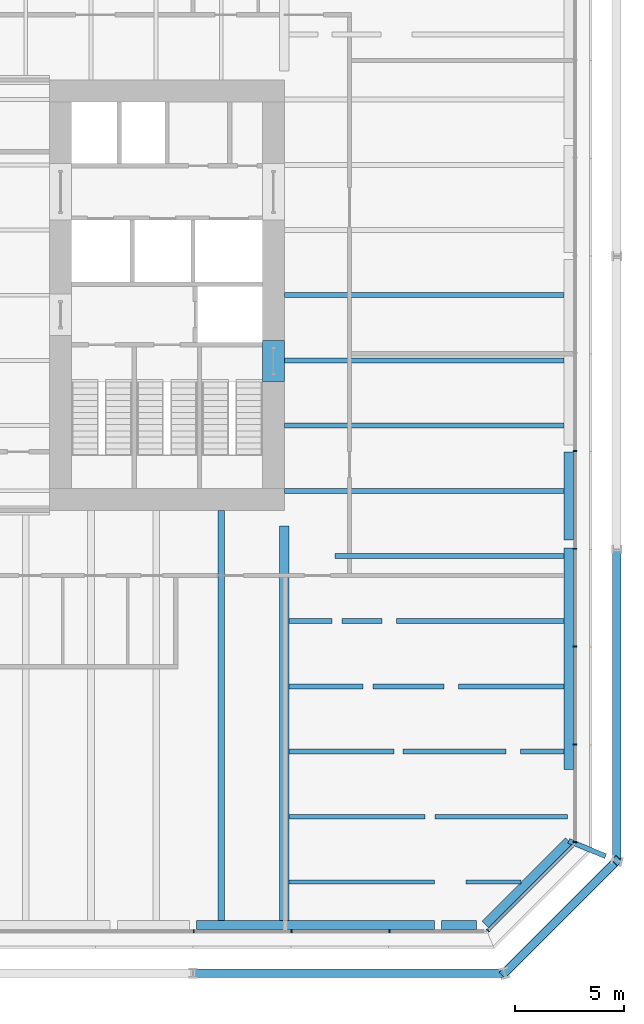
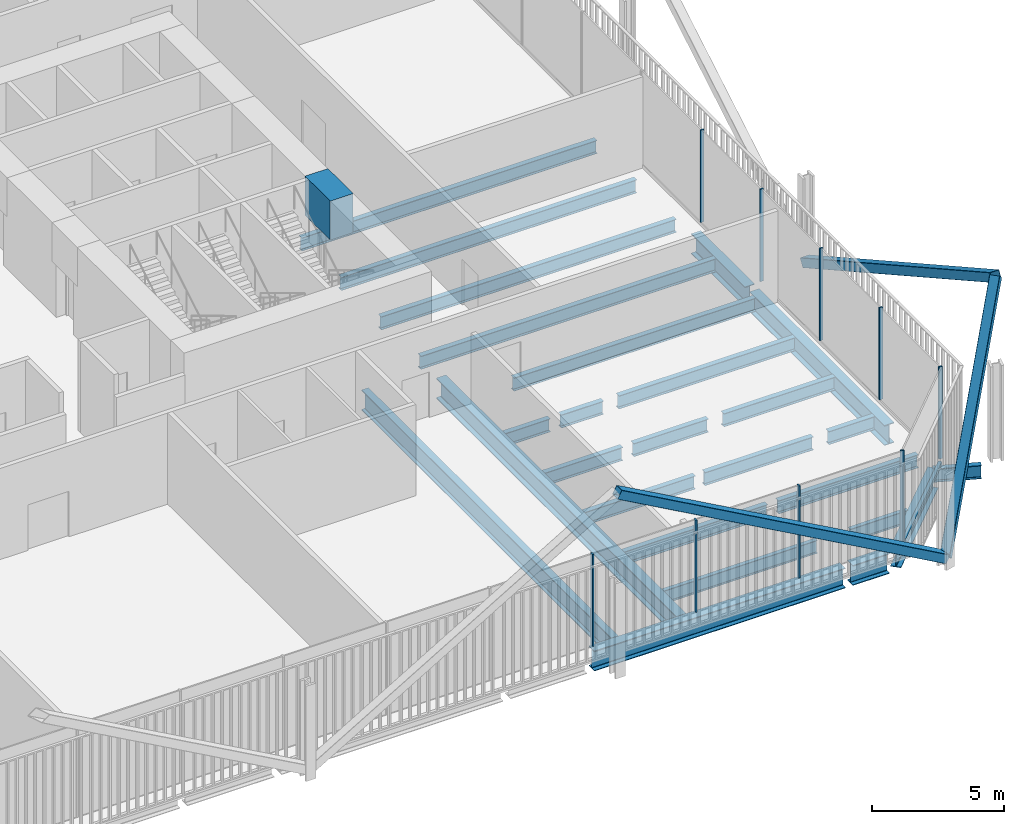
# One storey, part 8 of 21: 27 beams, 13 members, 3 elements without a shape of their own.
"""IFC4 building model written with IfcOpenShell, lengths in metres."""

from ifc_helpers import new_model, si_unit, direction, frame, origin, origin_2d, place, context, subcontext, project, spatial, rectangle, hollow_rectangle, i_section, extrude, material, layer, layer_set, material_profile, profile_set, type_object, element, aggregate, save


model = new_model("IFC4")

# Units and contexts
model_context = context("Model", 3, precision=1e-05, world=origin(), true_north=direction((0.0, 1.0)))
body_context = subcontext(model_context, "Body", "Model", "MODEL_VIEW")
ifc_project = project(units=[si_unit("LENGTHUNIT", "METRE"), si_unit("AREAUNIT", "SQUARE_METRE"), si_unit("VOLUMEUNIT", "CUBIC_METRE"), si_unit("PLANEANGLEUNIT", "RADIAN"), si_unit("MASSUNIT", "GRAM", prefix="KILO")], contexts=[model_context])

# Site, building, storey
site_placement = place(None, origin())
site = spatial("IfcSite", under=ifc_project, at=site_placement, CompositionType="ELEMENT")
building_placement = place(site_placement, origin())
building = spatial("IfcBuilding", under=site, at=building_placement, Name="Millrace Tower", CompositionType="ELEMENT")
storey_placement = place(building_placement, frame((0.0, 0.0, 73.199951171875)))
storey = spatial("IfcBuildingStorey", under=building, at=storey_placement, Name="L16", CompositionType="ELEMENT", Elevation=73.199951171875)

# Curtain wall, members
ifc_material_1 = material(Name="Aluminium and glass", Category="aluminium")
ifc_layer = layer(ifc_material_1, 0.14990234375)
ifc_layer_set = layer_set([ifc_layer], Name="Aluminium and glass")
curtain_wall_type = type_object("IfcCurtainWallType", Name="CW-3 telecom floor curtain wall", PredefinedType="NOTDEFINED", material=ifc_layer_set)
placement = place(storey_placement, origin())
curtain_wall_1 = element("IfcCurtainWall", 1, at=placement, inside=storey, type_object=curtain_wall_type, Name="Curtain wall B-F02 L16", PredefinedType="NOTDEFINED")
ifc_material_2 = material(Name="Aluminium", Category="aluminium")
ifc_material_profile_1 = material_profile(ifc_material_2, rectangle(XDim=0.06494140625, YDim=0.14990234375, at=origin_2d()))
ifc_profile_set_1 = profile_set([ifc_material_profile_1], Name="Aluminium")
member_type_1 = type_object("IfcMemberType", Name="CW-3 telecom floor curtain wall mullion", PredefinedType="MULLION", material=ifc_profile_set_1)
member_1_placement = place(storey_placement, frame((10.732421875, -29.27490234375, 0.150146484375), z_axis=(0.0, 0.0, 1.0), x_axis=(1.0, 0.0, 0.0)))
member_1 = element("IfcMember", 2, at=member_1_placement, type_object=member_type_1, Name="CW3 mullion B-F02.7", PredefinedType="MULLION", context=body_context, shape_type="SweptSolid", body=[
    extrude(rectangle(XDim=0.06494140625, YDim=0.14990234375, at=origin_2d()), origin(), (0.0, 0.0, 1.0), 4.25),
])
member_2_placement = place(storey_placement, frame((15.232421875, -29.27490234375, 0.150146484375), z_axis=(0.0, 0.0, 1.0), x_axis=(1.0, 0.0, 0.0)))
member_2 = element("IfcMember", 3, at=member_2_placement, type_object=member_type_1, Name="CW3 mullion B-F02.8", PredefinedType="MULLION", context=body_context, shape_type="SweptSolid", body=[
    extrude(rectangle(XDim=0.06494140625, YDim=0.14990234375, at=origin_2d()), origin(), (0.0, 0.0, 1.0), 4.25),
])
member_3_placement = place(storey_placement, frame((19.732421875, -29.27490234375, 0.150146484375), z_axis=(0.0, 0.0, 1.0), x_axis=(1.0, 0.0, 0.0)))
member_3 = element("IfcMember", 4, at=member_3_placement, type_object=member_type_1, Name="CW3 mullion B-F02.9", PredefinedType="MULLION", context=body_context, shape_type="SweptSolid", body=[
    extrude(rectangle(XDim=0.06494140625, YDim=0.14990234375, at=origin_2d()), origin(), (0.0, 0.0, 1.0), 4.25),
])
aggregate(curtain_wall_1, [member_1, member_2, member_3])

# Curtain wall, member
curtain_wall_2 = element("IfcCurtainWall", 5, at=placement, inside=storey, type_object=curtain_wall_type, Name="Curtain wall B-F03 L16", PredefinedType="NOTDEFINED")
member_4_placement = place(storey_placement, frame((24.276123046875, -29.22998046875, 0.150146484375), z_axis=(0.0, 0.0, 1.0), x_axis=(0.707106781187, 0.707106781187, 0.0)))
member_4 = element("IfcMember", 6, at=member_4_placement, type_object=member_type_1, Name="CW3 mullion B-F03.1", PredefinedType="MULLION", context=body_context, shape_type="SweptSolid", body=[
    extrude(rectangle(XDim=0.06494140625, YDim=0.14990234375, at=origin_2d()), origin(), (0.0, 0.0, 1.0), 4.25),
])

# Curtain wall, members
curtain_wall_3 = element("IfcCurtainWall", 7, at=placement, inside=storey, type_object=curtain_wall_type, Name="Curtain wall B-F04 L16", PredefinedType="NOTDEFINED")
member_5_placement = place(storey_placement, frame((28.27490234375, -25.16748046875, 0.150146484375), z_axis=(0.0, 0.0, 1.0), x_axis=(0.0, 1.0, 0.0)))
member_5 = element("IfcMember", 8, at=member_5_placement, type_object=member_type_1, Name="CW3 mullion B-F04.1", PredefinedType="MULLION", context=body_context, shape_type="SweptSolid", body=[
    extrude(rectangle(XDim=0.06494140625, YDim=0.14990234375, at=origin_2d()), origin(), (0.0, 0.0, 1.0), 4.25),
])
member_6_placement = place(storey_placement, frame((28.27490234375, -20.66748046875, 0.150146484375), z_axis=(0.0, 0.0, 1.0), x_axis=(0.0, 1.0, 0.0)))
member_6 = element("IfcMember", 9, at=member_6_placement, type_object=member_type_1, Name="CW3 mullion B-F04.2", PredefinedType="MULLION", context=body_context, shape_type="SweptSolid", body=[
    extrude(rectangle(XDim=0.06494140625, YDim=0.14990234375, at=origin_2d()), origin(), (0.0, 0.0, 1.0), 4.25),
])
member_7_placement = place(storey_placement, frame((28.27490234375, -16.16748046875, 0.150146484375), z_axis=(0.0, 0.0, 1.0), x_axis=(0.0, 1.0, 0.0)))
member_7 = element("IfcMember", 10, at=member_7_placement, type_object=member_type_1, Name="CW3 mullion B-F04.3", PredefinedType="MULLION", context=body_context, shape_type="SweptSolid", body=[
    extrude(rectangle(XDim=0.06494140625, YDim=0.14990234375, at=origin_2d()), origin(), (0.0, 0.0, 1.0), 4.25),
])
member_8_placement = place(storey_placement, frame((28.27490234375, -11.66748046875, 0.150146484375), z_axis=(0.0, 0.0, 1.0), x_axis=(0.0, 1.0, 0.0)))
member_8 = element("IfcMember", 11, at=member_8_placement, type_object=member_type_1, Name="CW3 mullion B-F04.4", PredefinedType="MULLION", context=body_context, shape_type="SweptSolid", body=[
    extrude(rectangle(XDim=0.06494140625, YDim=0.14990234375, at=origin_2d()), origin(), (0.0, 0.0, 1.0), 4.25),
])
member_9_placement = place(storey_placement, frame((28.27490234375, -7.16748046875, 0.150146484375), z_axis=(0.0, 0.0, 1.0), x_axis=(0.0, 1.0, 0.0)))
member_9 = element("IfcMember", 12, at=member_9_placement, type_object=member_type_1, Name="CW3 mullion B-F04.5", PredefinedType="MULLION", context=body_context, shape_type="SweptSolid", body=[
    extrude(rectangle(XDim=0.06494140625, YDim=0.14990234375, at=origin_2d()), origin(), (0.0, 0.0, 1.0), 4.25),
])
aggregate(curtain_wall_3, [member_5, member_6, member_7, member_8, member_9])

# Member
ifc_material_3 = material(Name="Aluminium", Category="aluminium")
ifc_material_profile_2 = material_profile(ifc_material_3, rectangle(XDim=0.14990234375, YDim=0.14990234375, at=origin_2d()))
ifc_profile_set_2 = profile_set([ifc_material_profile_2], Name="Aluminium")
member_type_2 = type_object("IfcMemberType", Name="CW-3 telecom floor curtain wall transom", PredefinedType="USERDEFINED", material=ifc_profile_set_2)
member_10_placement = place(storey_placement, frame((24.32373046875, -29.182373046875, 0.074951171875), z_axis=(0.707106781187, 0.707106781187, 0.0), x_axis=(-0.707106781187, 0.707106781187, 0.0)))
member_10 = element("IfcMember", 13, at=member_10_placement, type_object=member_type_2, Name="CW3 transom B-F03.1", ObjectType="TRANSOM", PredefinedType="USERDEFINED", context=body_context, shape_type="SweptSolid", body=[
    extrude(rectangle(XDim=0.14990234375, YDim=0.14990234375, at=origin_2d()), origin(), (0.0, 0.0, 1.0), 5.45703125),
])

aggregate(curtain_wall_2, [member_4, member_10])

# Beam
ifc_material_4 = material(Name="Concrete C80", Category="concrete")
ifc_material_profile_3 = material_profile(ifc_material_4, rectangle(XDim=1.0, YDim=1.800048828125, at=origin_2d()))
ifc_profile_set_3 = profile_set([ifc_material_profile_3], Name="Concrete C80")
beam_type_1 = type_object("IfcBeamType", Name="Coupling beam 1000 x 1800 Concrete C80, 1300 opening", PredefinedType="BEAM", material=ifc_profile_set_3)
beam_1_placement = place(storey_placement, frame((14.39990234375, -2.080078125, 3.300048828125), z_axis=(0.0, -1.0, 0.0), x_axis=(1.0, 0.0, 0.0)))
element("IfcBeam", 14, at=beam_1_placement, inside=storey, type_object=beam_type_1, Name="Coupling beam E L16", PredefinedType="BEAM", context=body_context, shape_type="SweptSolid", body=[
    extrude(rectangle(XDim=1.0, YDim=1.800048828125, at=origin_2d()), origin(), (0.0, 0.0, 1.0), 1.89990234375),
])

# Members
ifc_material_5 = material(Name="Steel ASTM A500 Grade C", Category="steel")
ifc_material_profile_4 = material_profile(ifc_material_5, hollow_rectangle(XDim=0.406494140625, YDim=0.406494140625, WallThickness=0.015869140625, InnerFilletRadius=0.008056640625, OuterFilletRadius=0.02392578125, at=origin_2d()))
ifc_profile_set_4 = profile_set([ifc_material_profile_4], Name="Steel ASTM A500 Grade C")
member_type_3 = type_object("IfcMemberType", Name="Exoskeleton brace HSS16x16x5/8", PredefinedType="BRACE", material=ifc_profile_set_4)
member_11_placement = place(storey_placement, frame((25.0283203125, -31.199951171875, 0.400146484375), z_axis=(-0.873125840427, 0.0, 0.487494888976), x_axis=(0.0, -1.0, 0.0)))
element("IfcMember", 15, at=member_11_placement, inside=storey, type_object=member_type_3, Name="BRC-B-L16-04", PredefinedType="BRACE", context=body_context, shape_type="SweptSolid", body=[
    extrude(hollow_rectangle(XDim=0.406494140625, YDim=0.406494140625, WallThickness=0.015869140625, InnerFilletRadius=0.008056640625, OuterFilletRadius=0.02392578125, at=origin_2d()), origin(), (0.0, 0.0, 1.0), 16.410400390625),
])
member_12_placement = place(storey_placement, frame((25.0283203125, -31.199951171875, 0.400146484375), z_axis=(0.477116280189, 0.477116280189, 0.738051563482), x_axis=(-0.707106781187, 0.707106781187, 0.0)))
element("IfcMember", 16, at=member_12_placement, inside=storey, type_object=member_type_3, Name="BRC-B-L16-05", PredefinedType="BRACE", context=body_context, shape_type="SweptSolid", body=[
    extrude(hollow_rectangle(XDim=0.406494140625, YDim=0.406494140625, WallThickness=0.015869140625, InnerFilletRadius=0.008056640625, OuterFilletRadius=0.02392578125, at=origin_2d()), origin(), (0.0, 0.0, 1.0), 10.83935546875),
])
member_13_placement = place(storey_placement, frame((30.199951171875, -11.699951171875, 0.400146484375), z_axis=(0.0, -0.873125840427, 0.487494888976), x_axis=(1.0, 0.0, 0.0)))
element("IfcMember", 17, at=member_13_placement, inside=storey, type_object=member_type_3, Name="BRC-B-L16-06", PredefinedType="BRACE", context=body_context, shape_type="SweptSolid", body=[
    extrude(hollow_rectangle(XDim=0.406494140625, YDim=0.406494140625, WallThickness=0.015869140625, InnerFilletRadius=0.008056640625, OuterFilletRadius=0.02392578125, at=origin_2d()), origin(), (0.0, 0.0, 1.0), 16.410400390625),
])

# Beams
ifc_material_6 = material(Name="Steel ASTM A992 Grade 50", Category="steel")
ifc_material_profile_5 = material_profile(ifc_material_6, i_section(OverallWidth=0.1787109375, OverallDepth=0.60205078125, WebThickness=0.010986328125, FlangeThickness=0.014892578125, FilletRadius=0.0126953125, at=origin_2d()))
ifc_profile_set_5 = profile_set([ifc_material_profile_5], Name="Steel ASTM A992 Grade 50")
beam_type_2 = type_object("IfcBeamType", Name="Floor beam W24x62", PredefinedType="JOIST", material=ifc_profile_set_5)
beam_2_placement = place(storey_placement, frame((15.11083984375, -27.0, -0.5009765625), z_axis=(1.0, 0.0, 0.0), x_axis=(0.0, 1.0, 0.0)))
element("IfcBeam", 18, at=beam_2_placement, inside=storey, type_object=beam_type_2, Name="BM-B-L16-S1-S002-a", PredefinedType="JOIST", context=body_context, shape_type="SweptSolid", body=[
    extrude(i_section(OverallWidth=0.1787109375, OverallDepth=0.60205078125, WebThickness=0.010986328125, FlangeThickness=0.014892578125, FilletRadius=0.0126953125, at=origin_2d()), origin(), (0.0, 0.0, 1.0), 6.704833984375),
])
beam_3_placement = place(storey_placement, frame((23.2529296875, -27.0, -0.5009765625), z_axis=(1.0, 0.0, 0.0), x_axis=(0.0, 1.0, 0.0)))
element("IfcBeam", 19, at=beam_3_placement, inside=storey, type_object=beam_type_2, Name="BM-B-L16-S1-S002-b", PredefinedType="JOIST", context=body_context, shape_type="SweptSolid", body=[
    extrude(i_section(OverallWidth=0.1787109375, OverallDepth=0.60205078125, WebThickness=0.010986328125, FlangeThickness=0.014892578125, FilletRadius=0.0126953125, at=origin_2d()), origin(), (0.0, 0.0, 1.0), 2.5302734375),
])
ifc_material_7 = material(Name="Steel ASTM A992 Grade 50", Category="steel")
ifc_material_profile_6 = material_profile(ifc_material_7, i_section(OverallWidth=0.228271484375, OverallDepth=0.607177734375, WebThickness=0.01123046875, FlangeThickness=0.017333984375, FilletRadius=0.0126953125, at=origin_2d()))
ifc_profile_set_6 = profile_set([ifc_material_profile_6], Name="Steel ASTM A992 Grade 50")
beam_type_3 = type_object("IfcBeamType", Name="Floor beam W24x76", PredefinedType="JOIST", material=ifc_profile_set_6)
for number, where, z_axis, x_axis, name in (
    (20, (14.89990234375, -9.0, -0.50341796875), (1.0, 0.0, 0.0), (0.0, 1.0, 0.0), "BM-B-L16-S1-S015"),
    (21, (14.89990234375, -6.0, -0.50341796875), (1.0, 0.0, 0.0), (0.0, 1.0, 0.0), "BM-B-L16-S1-S018"),
    (22, (14.89990234375, -3.0, -0.50341796875), (1.0, 0.0, 0.0), (0.0, 1.0, 0.0), "BM-B-L16-S1-S021"),
    (23, (14.89990234375, 0.0, -0.50341796875), (1.0, 0.0, 0.0), (0.0, 1.0, 0.0), "BM-B-L16-S1-S024"),
):
    element("IfcBeam", number, at=place(storey_placement, frame(where, z_axis=z_axis, x_axis=x_axis)), inside=storey, type_object=beam_type_3, Name=name, PredefinedType="JOIST", context=body_context, shape_type="SweptSolid", body=[
        extrude(i_section(OverallWidth=0.228271484375, OverallDepth=0.607177734375, WebThickness=0.01123046875, FlangeThickness=0.017333984375, FilletRadius=0.0126953125, at=origin_2d()), origin(), (0.0, 0.0, 1.0), 12.881103515625),
    ])
beam_4_placement = place(storey_placement, frame((15.11083984375, -24.0, -0.50341796875), z_axis=(1.0, 0.0, 0.0), x_axis=(0.0, 1.0, 0.0)))
element("IfcBeam", 24, at=beam_4_placement, inside=storey, type_object=beam_type_3, Name="BM-B-L16-S1-S004-a", PredefinedType="JOIST", context=body_context, shape_type="SweptSolid", body=[
    extrude(i_section(OverallWidth=0.228271484375, OverallDepth=0.607177734375, WebThickness=0.01123046875, FlangeThickness=0.017333984375, FilletRadius=0.0126953125, at=origin_2d()), origin(), (0.0, 0.0, 1.0), 6.2568359375),
])
beam_5_placement = place(storey_placement, frame((21.841796875, -24.0, -0.50341796875), z_axis=(1.0, 0.0, 0.0), x_axis=(0.0, 1.0, 0.0)))
element("IfcBeam", 25, at=beam_5_placement, inside=storey, type_object=beam_type_3, Name="BM-B-L16-S1-S004-b", PredefinedType="JOIST", context=body_context, shape_type="SweptSolid", body=[
    extrude(i_section(OverallWidth=0.228271484375, OverallDepth=0.607177734375, WebThickness=0.01123046875, FlangeThickness=0.017333984375, FilletRadius=0.0126953125, at=origin_2d()), origin(), (0.0, 0.0, 1.0), 6.09912109375),
])
beam_6_placement = place(storey_placement, frame((15.11083984375, -21.0, -0.50341796875), z_axis=(1.0, 0.0, 0.0), x_axis=(0.0, 1.0, 0.0)))
element("IfcBeam", 26, at=beam_6_placement, inside=storey, type_object=beam_type_3, Name="BM-B-L16-S1-S006-a", PredefinedType="JOIST", context=body_context, shape_type="SweptSolid", body=[
    extrude(i_section(OverallWidth=0.228271484375, OverallDepth=0.607177734375, WebThickness=0.01123046875, FlangeThickness=0.017333984375, FilletRadius=0.0126953125, at=origin_2d()), origin(), (0.0, 0.0, 1.0), 4.830322265625),
])
beam_7_placement = place(storey_placement, frame((15.11083984375, -18.0, -0.50341796875), z_axis=(1.0, 0.0, 0.0), x_axis=(0.0, 1.0, 0.0)))
element("IfcBeam", 27, at=beam_7_placement, inside=storey, type_object=beam_type_3, Name="BM-B-L16-S1-S008-a", PredefinedType="JOIST", context=body_context, shape_type="SweptSolid", body=[
    extrude(i_section(OverallWidth=0.228271484375, OverallDepth=0.607177734375, WebThickness=0.01123046875, FlangeThickness=0.017333984375, FilletRadius=0.0126953125, at=origin_2d()), origin(), (0.0, 0.0, 1.0), 3.40380859375),
])
beam_8_placement = place(storey_placement, frame((15.11083984375, -15.0, -0.50341796875), z_axis=(1.0, 0.0, 0.0), x_axis=(0.0, 1.0, 0.0)))
element("IfcBeam", 28, at=beam_8_placement, inside=storey, type_object=beam_type_3, Name="BM-B-L16-S1-S010-a", PredefinedType="JOIST", context=body_context, shape_type="SweptSolid", body=[
    extrude(i_section(OverallWidth=0.228271484375, OverallDepth=0.607177734375, WebThickness=0.01123046875, FlangeThickness=0.017333984375, FilletRadius=0.0126953125, at=origin_2d()), origin(), (0.0, 0.0, 1.0), 1.977294921875),
])
beam_9_placement = place(storey_placement, frame((20.3671875, -21.0, -0.50341796875), z_axis=(1.0, 0.0, 0.0), x_axis=(0.0, 1.0, 0.0)))
element("IfcBeam", 29, at=beam_9_placement, inside=storey, type_object=beam_type_3, Name="BM-B-L16-S1-S006-b-a", PredefinedType="JOIST", context=body_context, shape_type="SweptSolid", body=[
    extrude(i_section(OverallWidth=0.228271484375, OverallDepth=0.607177734375, WebThickness=0.01123046875, FlangeThickness=0.017333984375, FilletRadius=0.0126953125, at=origin_2d()), origin(), (0.0, 0.0, 1.0), 4.72705078125),
])
beam_10_placement = place(storey_placement, frame((25.765625, -21.0, -0.50341796875), z_axis=(1.0, 0.0, 0.0), x_axis=(0.0, 1.0, 0.0)))
element("IfcBeam", 30, at=beam_10_placement, inside=storey, type_object=beam_type_3, Name="BM-B-L16-S1-S006-b-b", PredefinedType="JOIST", context=body_context, shape_type="SweptSolid", body=[
    extrude(i_section(OverallWidth=0.228271484375, OverallDepth=0.607177734375, WebThickness=0.01123046875, FlangeThickness=0.017333984375, FilletRadius=0.0126953125, at=origin_2d()), origin(), (0.0, 0.0, 1.0), 2.015380859375),
])
beam_11_placement = place(storey_placement, frame((18.98876953125, -18.0, -0.50341796875), z_axis=(1.0, 0.0, 0.0), x_axis=(0.0, 1.0, 0.0)))
element("IfcBeam", 31, at=beam_11_placement, inside=storey, type_object=beam_type_3, Name="BM-B-L16-S1-S008-b-a", PredefinedType="JOIST", context=body_context, shape_type="SweptSolid", body=[
    extrude(i_section(OverallWidth=0.228271484375, OverallDepth=0.607177734375, WebThickness=0.01123046875, FlangeThickness=0.017333984375, FilletRadius=0.0126953125, at=origin_2d()), origin(), (0.0, 0.0, 1.0), 3.259521484375),
])
beam_12_placement = place(storey_placement, frame((22.919677734375, -18.0, -0.50341796875), z_axis=(1.0, 0.0, 0.0), x_axis=(0.0, 1.0, 0.0)))
element("IfcBeam", 32, at=beam_12_placement, inside=storey, type_object=beam_type_3, Name="BM-B-L16-S1-S008-b-b", PredefinedType="JOIST", context=body_context, shape_type="SweptSolid", body=[
    extrude(i_section(OverallWidth=0.228271484375, OverallDepth=0.607177734375, WebThickness=0.01123046875, FlangeThickness=0.017333984375, FilletRadius=0.0126953125, at=origin_2d()), origin(), (0.0, 0.0, 1.0), 4.861328125),
])
beam_13_placement = place(storey_placement, frame((17.562255859375, -15.0, -0.50341796875), z_axis=(1.0, 0.0, 0.0), x_axis=(0.0, 1.0, 0.0)))
element("IfcBeam", 33, at=beam_13_placement, inside=storey, type_object=beam_type_3, Name="BM-B-L16-S1-S010-b-a", PredefinedType="JOIST", context=body_context, shape_type="SweptSolid", body=[
    extrude(i_section(OverallWidth=0.228271484375, OverallDepth=0.607177734375, WebThickness=0.01123046875, FlangeThickness=0.017333984375, FilletRadius=0.0126953125, at=origin_2d()), origin(), (0.0, 0.0, 1.0), 1.840087890625),
])
beam_14_placement = place(storey_placement, frame((20.07373046875, -15.0, -0.50341796875), z_axis=(1.0, 0.0, 0.0), x_axis=(0.0, 1.0, 0.0)))
element("IfcBeam", 34, at=beam_14_placement, inside=storey, type_object=beam_type_3, Name="BM-B-L16-S1-S010-b-b", PredefinedType="JOIST", context=body_context, shape_type="SweptSolid", body=[
    extrude(i_section(OverallWidth=0.228271484375, OverallDepth=0.607177734375, WebThickness=0.01123046875, FlangeThickness=0.017333984375, FilletRadius=0.0126953125, at=origin_2d()), origin(), (0.0, 0.0, 1.0), 7.707275390625),
])
beam_15_placement = place(storey_placement, frame((17.227783203125, -12.0, -0.50341796875), z_axis=(1.0, 0.0, 0.0), x_axis=(0.0, 1.0, 0.0)))
element("IfcBeam", 35, at=beam_15_placement, inside=storey, type_object=beam_type_3, Name="BM-B-L16-S1-S012", PredefinedType="JOIST", context=body_context, shape_type="SweptSolid", body=[
    extrude(i_section(OverallWidth=0.228271484375, OverallDepth=0.607177734375, WebThickness=0.01123046875, FlangeThickness=0.017333984375, FilletRadius=0.0126953125, at=origin_2d()), origin(), (0.0, 0.0, 1.0), 10.55322265625),
])
ifc_material_8 = material(Name="Steel ASTM A992 Grade 50", Category="steel")
ifc_material_profile_7 = material_profile(ifc_material_8, i_section(OverallWidth=0.307373046875, OverallDepth=0.927001953125, WebThickness=0.01953125, FlangeThickness=0.031982421875, FilletRadius=0.01904296875, at=origin_2d()))
ifc_profile_set_7 = profile_set([ifc_material_profile_7], Name="Steel ASTM A992 Grade 50")
beam_type_4 = type_object("IfcBeamType", Name="Floor beam W36x194", PredefinedType="JOIST", material=ifc_profile_set_7)
beam_16_placement = place(storey_placement, frame((12.0, -28.781005859375, -0.66357421875), z_axis=(0.0, 1.0, 0.0), x_axis=(-1.0, 0.0, 0.0)))
element("IfcBeam", 36, at=beam_16_placement, inside=storey, type_object=beam_type_4, Name="BM-B-L16-S1-S057", PredefinedType="JOIST", context=body_context, shape_type="SweptSolid", body=[
    extrude(i_section(OverallWidth=0.307373046875, OverallDepth=0.927001953125, WebThickness=0.01953125, FlangeThickness=0.031982421875, FilletRadius=0.01904296875, at=origin_2d()), origin(), (0.0, 0.0, 1.0), 18.881103515625),
])
ifc_material_9 = material(Name="Steel ASTM A992 Grade 50", Category="steel")
ifc_material_profile_8 = material_profile(ifc_material_9, i_section(OverallWidth=0.424072265625, OverallDepth=0.947509765625, WebThickness=0.02392578125, FlangeThickness=0.042724609375, FilletRadius=0.024169921875, at=origin_2d()))
ifc_profile_set_8 = profile_set([ifc_material_profile_8], Name="Steel ASTM A992 Grade 50")
beam_type_5 = type_object("IfcBeamType", Name="Girder medium span W36x302", PredefinedType="BEAM", material=ifc_profile_set_8)
beam_17_placement = place(storey_placement, frame((14.89990234375, -28.781005859375, -0.673583984375), z_axis=(0.0, 1.0, 0.0), x_axis=(-1.0, 0.0, 0.0)))
element("IfcBeam", 37, at=beam_17_placement, inside=storey, type_object=beam_type_5, Name="BM-B-L16-S1-G061", PredefinedType="BEAM", context=body_context, shape_type="SweptSolid", body=[
    extrude(i_section(OverallWidth=0.424072265625, OverallDepth=0.947509765625, WebThickness=0.02392578125, FlangeThickness=0.042724609375, FilletRadius=0.024169921875, at=origin_2d()), origin(), (0.0, 0.0, 1.0), 18.1533203125),
])
ifc_material_10 = material(Name="Steel ASTM A992 Grade 50", Category="steel")
ifc_material_profile_9 = material_profile(ifc_material_10, i_section(OverallWidth=0.23046875, OverallDepth=0.6171875, WebThickness=0.01318359375, FlangeThickness=0.022216796875, FilletRadius=0.012939453125, at=origin_2d()))
ifc_profile_set_9 = profile_set([ifc_material_profile_9], Name="Steel ASTM A992 Grade 50")
beam_type_6 = type_object("IfcBeamType", Name="Link beam W24x94", PredefinedType="BEAM", material=ifc_profile_set_9)
beam_18_placement = place(storey_placement, frame((27.990478515625, -25.11328125, -0.508544921875), z_axis=(0.923913073323, -0.382602447643, 0.0), x_axis=(0.382602447643, 0.923913073323, 0.0)))
element("IfcBeam", 38, at=beam_18_placement, inside=storey, type_object=beam_type_6, Name="LNK-B-L16-S1-12", PredefinedType="BEAM", context=body_context, shape_type="SweptSolid", body=[
    extrude(i_section(OverallWidth=0.23046875, OverallDepth=0.6171875, WebThickness=0.01318359375, FlangeThickness=0.022216796875, FilletRadius=0.012939453125, at=origin_2d()), origin(), (0.0, 0.0, 1.0), 1.835205078125),
])
ifc_material_11 = material(Name="Steel ASTM A992 Grade 50", Category="steel")
ifc_material_profile_10 = material_profile(ifc_material_11, i_section(OverallWidth=0.419189453125, OverallDepth=0.927001953125, WebThickness=0.019287109375, FlangeThickness=0.031982421875, FilletRadius=0.024169921875, at=origin_2d()))
ifc_profile_set_10 = profile_set([ifc_material_profile_10], Name="Steel ASTM A992 Grade 50")
beam_type_7 = type_object("IfcBeamType", Name="Ring beam short span W36x231", PredefinedType="SPANDREL", material=ifc_profile_set_10)
beam_19_placement = place(storey_placement, frame((27.990478515625, -11.6279296875, -0.66357421875), z_axis=(0.0, -1.0, 0.0), x_axis=(1.0, 0.0, 0.0)))
element("IfcBeam", 39, at=beam_19_placement, inside=storey, type_object=beam_type_7, Name="RNG-B-L16-S1-11-a", PredefinedType="SPANDREL", context=body_context, shape_type="SweptSolid", body=[
    extrude(i_section(OverallWidth=0.419189453125, OverallDepth=0.927001953125, WebThickness=0.019287109375, FlangeThickness=0.031982421875, FilletRadius=0.024169921875, at=origin_2d()), origin(), (0.0, 0.0, 1.0), 10.187744140625),
])
beam_20_placement = place(storey_placement, frame((27.990478515625, -7.212890625, -0.66357421875), z_axis=(0.0, -1.0, 0.0), x_axis=(1.0, 0.0, 0.0)))
element("IfcBeam", 40, at=beam_20_placement, inside=storey, type_object=beam_type_7, Name="RNG-B-L16-S1-10-b", PredefinedType="SPANDREL", context=body_context, shape_type="SweptSolid", body=[
    extrude(i_section(OverallWidth=0.419189453125, OverallDepth=0.927001953125, WebThickness=0.019287109375, FlangeThickness=0.031982421875, FilletRadius=0.024169921875, at=origin_2d()), origin(), (0.0, 0.0, 1.0), 4.060791015625),
])
beam_21_placement = place(storey_placement, frame((27.990478515625, -25.11328125, -0.66357421875), z_axis=(-0.707129262207, -0.707084299451, 0.0), x_axis=(0.707084299451, -0.707129262207, 0.0)))
element("IfcBeam", 41, at=beam_21_placement, inside=storey, type_object=beam_type_7, Name="RNG-B-L16-S1-12", PredefinedType="SPANDREL", context=body_context, shape_type="SweptSolid", body=[
    extrude(i_section(OverallWidth=0.419189453125, OverallDepth=0.927001953125, WebThickness=0.019287109375, FlangeThickness=0.031982421875, FilletRadius=0.024169921875, at=origin_2d()), origin(), (0.0, 0.0, 1.0), 5.429931640625),
])
beam_22_placement = place(storey_placement, frame((21.815673828125, -28.990478515625, -0.66357421875), z_axis=(-1.0, 0.0, 0.0), x_axis=(0.0, -1.0, 0.0)))
element("IfcBeam", 42, at=beam_22_placement, inside=storey, type_object=beam_type_7, Name="RNG-B-L16-S1-13-b", PredefinedType="SPANDREL", context=body_context, shape_type="SweptSolid", body=[
    extrude(i_section(OverallWidth=0.419189453125, OverallDepth=0.927001953125, WebThickness=0.019287109375, FlangeThickness=0.031982421875, FilletRadius=0.024169921875, at=origin_2d()), origin(), (0.0, 0.0, 1.0), 10.954345703125),
])
beam_23_placement = place(storey_placement, frame((23.7431640625, -28.990478515625, -0.66357421875), z_axis=(-1.0, 0.0, 0.0), x_axis=(0.0, -1.0, 0.0)))
element("IfcBeam", 43, at=beam_23_placement, inside=storey, type_object=beam_type_7, Name="RNG-B-L16-S1-13-a", PredefinedType="SPANDREL", context=body_context, shape_type="SweptSolid", body=[
    extrude(i_section(OverallWidth=0.419189453125, OverallDepth=0.927001953125, WebThickness=0.019287109375, FlangeThickness=0.031982421875, FilletRadius=0.024169921875, at=origin_2d()), origin(), (0.0, 0.0, 1.0), 1.601806640625),
])

save(model, "model.ifc")
